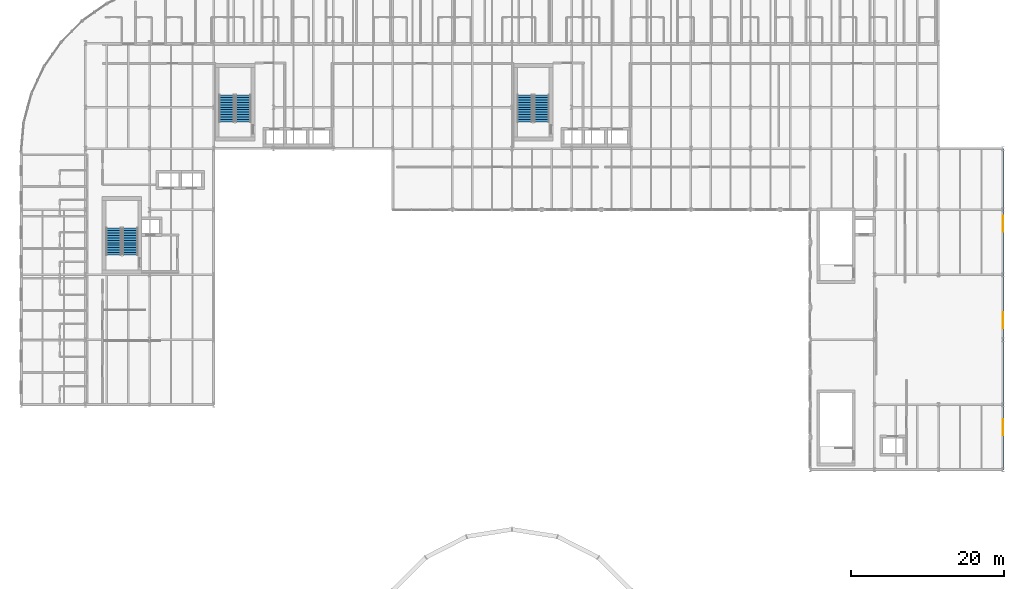
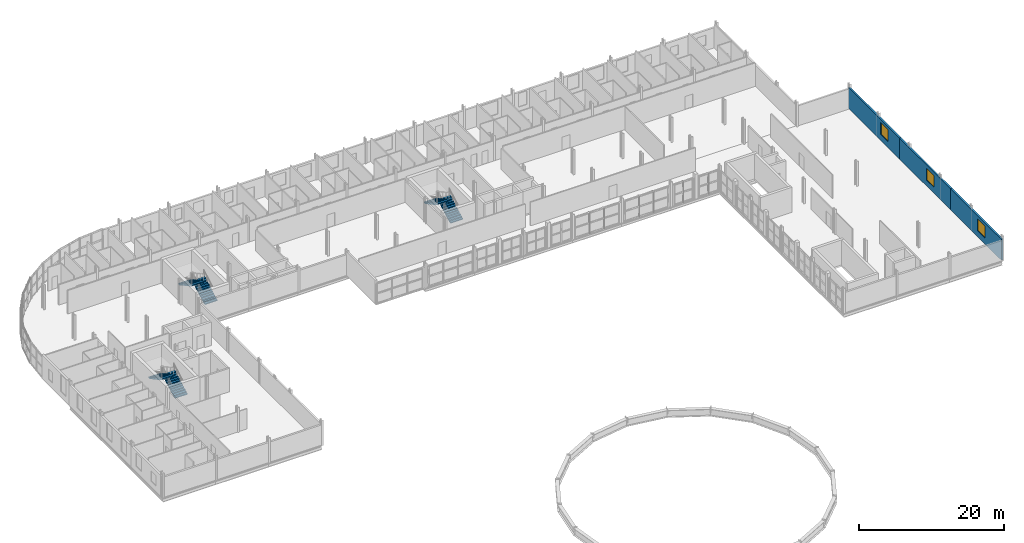
# One storey, part 40 of 45: 6 stair flights, 3 walls, 3 windows, 3 openings, 3 elements without a shape of their own.
"""IFC4 building model written with IfcOpenShell, lengths in metres."""

from ifc_helpers import new_model, si_unit, direction, frame, frame_2d, origin, place, context, subcontext, project, spatial, polyline, rectangle, outline, extrude, material, layer, layer_set, type_object, element, fill, aggregate, save


model = new_model("IFC4")

# Units and contexts
model_context = context("Model", 3, precision=1e-05, world=origin(), true_north=direction((0.0, 1.0)))
body_context = subcontext(model_context, "Body", "Model", "MODEL_VIEW")
ifc_project = project(units=[si_unit("LENGTHUNIT", "METRE"), si_unit("AREAUNIT", "SQUARE_METRE"), si_unit("VOLUMEUNIT", "CUBIC_METRE"), si_unit("PLANEANGLEUNIT", "RADIAN"), si_unit("MASSUNIT", "GRAM", prefix="KILO")], contexts=[model_context])

# Site, building, storey
site_placement = place(None, origin())
site = spatial("IfcSite", under=ifc_project, at=site_placement, CompositionType="ELEMENT")
building_placement = place(site_placement, origin())
building = spatial("IfcBuilding", under=site, at=building_placement, Name="Sefraquen Railside Congress Hotel", CompositionType="ELEMENT")
storey_placement = place(building_placement, frame((0.0, 0.0, 20.39990234375)))
storey = spatial("IfcBuildingStorey", under=building, at=storey_placement, Name="L04", CompositionType="ELEMENT", Elevation=20.39990234375)

# Wall, opening, window
ifc_material_1 = material(Name="Ochre Rabat calcarenite limestone and Concrete C40/50 backing", Category="masonry")
ifc_layer = layer(ifc_material_1, 0.280029296875)
ifc_layer_set = layer_set([ifc_layer], Name="Ochre Rabat calcarenite limestone and Concrete C40/50 backing")
wall_type = type_object("IfcWallType", Name="TW-EW-280", PredefinedType="STANDARD", material=ifc_layer_set)
wall_1_placement = place(storey_placement, frame((128.39990234375, 54.0, 0.0), z_axis=(0.0, 0.0, 1.0), x_axis=(0.0, 1.0, 0.0)))
wall_1 = element("IfcWall", 1, at=wall_1_placement, inside=storey, type_object=wall_type, Name="Meeting Wing L04 east facade wall 1", PredefinedType="STANDARD", context=body_context, shape_type="SweptSolid", body=[
    extrude(rectangle(XDim=14.0, YDim=0.280029296875, at=frame_2d((7.0, 0.0))), origin(), (0.0, 0.0, 1.0), 3.530029296875),
])
opening_1_placement = place(wall_1_placement, frame((4.5, 0.0, 1.0)))
opening_1 = element("IfcOpeningElement", 2, at=opening_1_placement, cuts=wall_1, Name="Opening WN-07", PredefinedType="OPENING", context=body_context, shape_type="SweptSolid", body=[
    extrude(rectangle(XDim=2.10009765625, YDim=2.0, at=frame_2d((1.050048828125, 1.0))), frame((0.0, 0.14990234375, 0.0), z_axis=(0.0, -1.0, 0.0), x_axis=(1.0, 0.0, 0.0)), (0.0, 0.0, 1.0), 0.300048828125),
])
ifc_material_2 = material(Name="Solar-control low-E double glazing in bronze-anodised frame", Category="glass")
window_type = type_object("IfcWindowType", Name="TWN-W-07", PartitioningType="DOUBLE_PANEL_VERTICAL", PredefinedType="WINDOW", material=ifc_material_2)
window_1_placement = place(opening_1_placement, origin())
window_1 = element("IfcWindow", 3, at=window_1_placement, inside=storey, type_object=window_type, Name="Meeting Wing L04 east window 1", OverallHeight=2.0, OverallWidth=2.10009765625, PartitioningType="DOUBLE_PANEL_VERTICAL", PredefinedType="WINDOW", context=body_context, shape_type="SweptSolid", body=[
    extrude(rectangle(XDim=2.10009765625, YDim=2.0, at=frame_2d((1.050048828125, 1.0))), frame((0.0, 0.030029296875, 0.0), z_axis=(0.0, -1.0, 0.0), x_axis=(1.0, 0.0, 0.0)), (0.0, 0.0, 1.0), 0.06005859375),
])
fill(opening_1, window_1)

wall_2_placement = place(storey_placement, frame((128.39990234375, 68.0, 0.0), z_axis=(0.0, 0.0, 1.0), x_axis=(0.0, 1.0, 0.0)))
wall_2 = element("IfcWall", 4, at=wall_2_placement, inside=storey, type_object=wall_type, Name="Meeting Wing L04 east facade wall 2", PredefinedType="STANDARD", context=body_context, shape_type="SweptSolid", body=[
    extrude(rectangle(XDim=14.0, YDim=0.280029296875, at=frame_2d((7.0, 0.0))), origin(), (0.0, 0.0, 1.0), 3.530029296875),
])
opening_2_placement = place(wall_2_placement, frame((4.5, 0.0, 1.0)))
opening_2 = element("IfcOpeningElement", 5, at=opening_2_placement, cuts=wall_2, Name="Opening WN-07", PredefinedType="OPENING", context=body_context, shape_type="SweptSolid", body=[
    extrude(rectangle(XDim=2.10009765625, YDim=2.0, at=frame_2d((1.050048828125, 1.0))), frame((0.0, 0.14990234375, 0.0), z_axis=(0.0, -1.0, 0.0), x_axis=(1.0, 0.0, 0.0)), (0.0, 0.0, 1.0), 0.300048828125),
])
window_2_placement = place(opening_2_placement, origin())
window_2 = element("IfcWindow", 6, at=window_2_placement, inside=storey, type_object=window_type, Name="Meeting Wing L04 east window 2", OverallHeight=2.0, OverallWidth=2.10009765625, PartitioningType="DOUBLE_PANEL_VERTICAL", PredefinedType="WINDOW", context=body_context, shape_type="SweptSolid", body=[
    extrude(rectangle(XDim=2.10009765625, YDim=2.0, at=frame_2d((1.050048828125, 1.0))), frame((0.0, 0.030029296875, 0.0), z_axis=(0.0, -1.0, 0.0), x_axis=(1.0, 0.0, 0.0)), (0.0, 0.0, 1.0), 0.06005859375),
])
fill(opening_2, window_2)

wall_3_placement = place(storey_placement, frame((128.39990234375, 82.0, 0.0), z_axis=(0.0, 0.0, 1.0), x_axis=(0.0, 1.0, 0.0)))
wall_3 = element("IfcWall", 7, at=wall_3_placement, inside=storey, type_object=wall_type, Name="Meeting Wing L04 east facade wall 3", PredefinedType="STANDARD", context=body_context, shape_type="SweptSolid", body=[
    extrude(rectangle(XDim=14.0, YDim=0.280029296875, at=frame_2d((7.0, 0.0))), origin(), (0.0, 0.0, 1.0), 3.530029296875),
])
opening_3_placement = place(wall_3_placement, frame((3.10009765625, 0.0, 1.0)))
opening_3 = element("IfcOpeningElement", 8, at=opening_3_placement, cuts=wall_3, Name="Opening WN-07", PredefinedType="OPENING", context=body_context, shape_type="SweptSolid", body=[
    extrude(rectangle(XDim=2.10009765625, YDim=2.0, at=frame_2d((1.050048828125, 1.0))), frame((0.0, 0.14990234375, 0.0), z_axis=(0.0, -1.0, 0.0), x_axis=(1.0, 0.0, 0.0)), (0.0, 0.0, 1.0), 0.300048828125),
])
window_3_placement = place(opening_3_placement, origin())
window_3 = element("IfcWindow", 9, at=window_3_placement, inside=storey, type_object=window_type, Name="Meeting Wing L04 east window 3", OverallHeight=2.0, OverallWidth=2.10009765625, PartitioningType="DOUBLE_PANEL_VERTICAL", PredefinedType="WINDOW", context=body_context, shape_type="SweptSolid", body=[
    extrude(rectangle(XDim=2.10009765625, YDim=2.0, at=frame_2d((1.050048828125, 1.0))), frame((0.0, 0.030029296875, 0.0), z_axis=(0.0, -1.0, 0.0), x_axis=(1.0, 0.0, 0.0)), (0.0, 0.0, 1.0), 0.06005859375),
])
fill(opening_3, window_3)

# Stair, stair flights
ifc_material_3 = material(Name="Concrete C40/50", Category="concrete")
stair_type_1 = type_object("IfcStairType", Name="TST-DOG-198-360", PredefinedType="HALF_TURN_STAIR", material=ifc_material_3)
stair_1_placement = place(storey_placement, origin())
stair_1 = element("IfcStair", 10, at=stair_1_placement, inside=storey, type_object=stair_type_1, Name="L04 Pressurized escape stair ST-H01", PredefinedType="HALF_TURN_STAIR")
stair_flight_type_1 = type_object("IfcStairFlightType", Name="TSF-FLT-198-360", PredefinedType="STRAIGHT", material=ifc_material_3)
stair_flight_1_placement = place(storey_placement, frame((14.27001953125, 82.080078125, 0.0), z_axis=(0.0, 0.0, 1.0), x_axis=(0.0, 1.0, 0.0)))
stair_flight_1 = element("IfcStairFlight", 11, at=stair_flight_1_placement, type_object=stair_flight_type_1, Name="ST-H01 flight 1", NumberOfRisers=12, NumberOfTreads=11, PredefinedType="STRAIGHT", RiserHeight=0.175, TreadLength=0.322, context=body_context, shape_type="SweptSolid", body=[
    extrude(outline(polyline([(0.0, 0.0), (0.0, 0.175048828125), (0.322021484375, 0.175048828125), (0.322021484375, 0.35009765625), (0.64404296875, 0.35009765625), (0.64404296875, 0.52490234375), (0.966064453125, 0.52490234375), (0.966064453125, 0.699951171875), (1.2880859375, 0.699951171875), (1.2880859375, 0.875), (1.610107421875, 0.875), (1.610107421875, 1.050048828125), (1.931884765625, 1.050048828125), (1.931884765625, 1.22509765625), (2.25390625, 1.22509765625), (2.25390625, 1.39990234375), (2.575927734375, 1.39990234375), (2.575927734375, 1.574951171875), (2.89794921875, 1.574951171875), (2.89794921875, 1.75), (3.219970703125, 1.75), (3.219970703125, 1.925048828125), (3.5419921875, 1.925048828125), (3.5419921875, 2.10009765625), (3.5419921875, 1.75439453125), (0.31396484375, 0.0), (0.0, 0.0)])), frame((0.0, 0.989990234375, 0.0), z_axis=(0.0, -1.0, 0.0), x_axis=(1.0, 0.0, 0.0)), (0.0, 0.0, 1.0), 1.97998046875),
])
stair_flight_2_placement = place(storey_placement, frame((12.090087890625, 85.6220703125, 2.10009765625), z_axis=(0.0, 0.0, 1.0), x_axis=(0.0, -1.0, 0.0)))
stair_flight_2 = element("IfcStairFlight", 12, at=stair_flight_2_placement, type_object=stair_flight_type_1, Name="ST-H01 flight 2", NumberOfRisers=12, NumberOfTreads=11, PredefinedType="STRAIGHT", RiserHeight=0.175, TreadLength=0.322, context=body_context, shape_type="SweptSolid", body=[
    extrude(outline(polyline([(0.0, 0.0), (0.0, 0.175048828125), (0.322021484375, 0.175048828125), (0.322021484375, 0.35009765625), (0.64404296875, 0.35009765625), (0.64404296875, 0.52490234375), (0.966064453125, 0.52490234375), (0.966064453125, 0.699951171875), (1.2880859375, 0.699951171875), (1.2880859375, 0.875), (1.610107421875, 0.875), (1.610107421875, 1.050048828125), (1.931884765625, 1.050048828125), (1.931884765625, 1.22509765625), (2.25390625, 1.22509765625), (2.25390625, 1.39990234375), (2.575927734375, 1.39990234375), (2.575927734375, 1.574951171875), (2.89794921875, 1.574951171875), (2.89794921875, 1.75), (3.219970703125, 1.75), (3.219970703125, 1.925048828125), (3.5419921875, 1.925048828125), (3.5419921875, 2.10009765625), (3.5419921875, 1.75439453125), (0.31396484375, 0.0), (0.0, 0.0)])), frame((0.0, 0.989990234375, 0.0), z_axis=(0.0, -1.0, 0.0), x_axis=(1.0, 0.0, 0.0)), (0.0, 0.0, 1.0), 1.97998046875),
])
aggregate(stair_1, [stair_flight_1, stair_flight_2])

stair_type_2 = type_object("IfcStairType", Name="TST-DOG-198-420", PredefinedType="HALF_TURN_STAIR", material=ifc_material_3)
stair_2_placement = place(storey_placement, origin())
stair_2 = element("IfcStair", 13, at=stair_2_placement, inside=storey, type_object=stair_type_2, Name="L04 Pressurized escape stair ST-H02", PredefinedType="HALF_TURN_STAIR")
stair_flight_type_2 = type_object("IfcStairFlightType", Name="TSF-FLT-198-420", PredefinedType="STRAIGHT", material=ifc_material_3)
stair_flight_3_placement = place(storey_placement, frame((29.070068359375, 99.47998046875, 0.0), z_axis=(0.0, 0.0, 1.0), x_axis=(0.0, 1.0, 0.0)))
stair_flight_3 = element("IfcStairFlight", 14, at=stair_flight_3_placement, type_object=stair_flight_type_2, Name="ST-H02 flight 1", NumberOfRisers=12, NumberOfTreads=11, PredefinedType="STRAIGHT", RiserHeight=0.175, TreadLength=0.322, context=body_context, shape_type="SweptSolid", body=[
    extrude(outline(polyline([(0.0, 0.0), (0.0, 0.175048828125), (0.322021484375, 0.175048828125), (0.322021484375, 0.35009765625), (0.64404296875, 0.35009765625), (0.64404296875, 0.52490234375), (0.966064453125, 0.52490234375), (0.966064453125, 0.699951171875), (1.2880859375, 0.699951171875), (1.2880859375, 0.875), (1.610107421875, 0.875), (1.610107421875, 1.050048828125), (1.931884765625, 1.050048828125), (1.931884765625, 1.22509765625), (2.25390625, 1.22509765625), (2.25390625, 1.39990234375), (2.575927734375, 1.39990234375), (2.575927734375, 1.574951171875), (2.89794921875, 1.574951171875), (2.89794921875, 1.75), (3.219970703125, 1.75), (3.219970703125, 1.925048828125), (3.5419921875, 1.925048828125), (3.5419921875, 2.10009765625), (3.5419921875, 1.75439453125), (0.31396484375, 0.0), (0.0, 0.0)])), frame((0.0, 0.989990234375, 0.0), z_axis=(0.0, -1.0, 0.0), x_axis=(1.0, 0.0, 0.0)), (0.0, 0.0, 1.0), 1.97998046875),
])
stair_flight_4_placement = place(storey_placement, frame((26.889892578125, 103.02197265625, 2.10009765625), z_axis=(0.0, 0.0, 1.0), x_axis=(0.0, -1.0, 0.0)))
stair_flight_4 = element("IfcStairFlight", 15, at=stair_flight_4_placement, type_object=stair_flight_type_2, Name="ST-H02 flight 2", NumberOfRisers=12, NumberOfTreads=11, PredefinedType="STRAIGHT", RiserHeight=0.175, TreadLength=0.322, context=body_context, shape_type="SweptSolid", body=[
    extrude(outline(polyline([(0.0, 0.0), (0.0, 0.175048828125), (0.322021484375, 0.175048828125), (0.322021484375, 0.35009765625), (0.64404296875, 0.35009765625), (0.64404296875, 0.52490234375), (0.966064453125, 0.52490234375), (0.966064453125, 0.699951171875), (1.2880859375, 0.699951171875), (1.2880859375, 0.875), (1.610107421875, 0.875), (1.610107421875, 1.050048828125), (1.931884765625, 1.050048828125), (1.931884765625, 1.22509765625), (2.25390625, 1.22509765625), (2.25390625, 1.39990234375), (2.575927734375, 1.39990234375), (2.575927734375, 1.574951171875), (2.89794921875, 1.574951171875), (2.89794921875, 1.75), (3.219970703125, 1.75), (3.219970703125, 1.925048828125), (3.5419921875, 1.925048828125), (3.5419921875, 2.10009765625), (3.5419921875, 1.75439453125), (0.31396484375, 0.0), (0.0, 0.0)])), frame((0.0, 0.989990234375, 0.0), z_axis=(0.0, -1.0, 0.0), x_axis=(1.0, 0.0, 0.0)), (0.0, 0.0, 1.0), 1.97998046875),
])
aggregate(stair_2, [stair_flight_3, stair_flight_4])

stair_type_3 = type_object("IfcStairType", Name="TST-DOG-198-450", PredefinedType="HALF_TURN_STAIR", material=ifc_material_3)
stair_3_placement = place(storey_placement, origin())
stair_3 = element("IfcStair", 16, at=stair_3_placement, inside=storey, type_object=stair_type_3, Name="L04 Pressurized escape stair ST-H03", PredefinedType="HALF_TURN_STAIR")
stair_flight_type_3 = type_object("IfcStairFlightType", Name="TSF-FLT-198-450", PredefinedType="STRAIGHT", material=ifc_material_3)
stair_flight_5_placement = place(storey_placement, frame((68.070068359375, 99.47998046875, 0.0), z_axis=(0.0, 0.0, 1.0), x_axis=(0.0, 1.0, 0.0)))
stair_flight_5 = element("IfcStairFlight", 17, at=stair_flight_5_placement, type_object=stair_flight_type_3, Name="ST-H03 flight 1", NumberOfRisers=12, NumberOfTreads=11, PredefinedType="STRAIGHT", RiserHeight=0.175, TreadLength=0.322, context=body_context, shape_type="SweptSolid", body=[
    extrude(outline(polyline([(0.0, 0.0), (0.0, 0.175048828125), (0.322021484375, 0.175048828125), (0.322021484375, 0.35009765625), (0.64404296875, 0.35009765625), (0.64404296875, 0.52490234375), (0.966064453125, 0.52490234375), (0.966064453125, 0.699951171875), (1.2880859375, 0.699951171875), (1.2880859375, 0.875), (1.610107421875, 0.875), (1.610107421875, 1.050048828125), (1.931884765625, 1.050048828125), (1.931884765625, 1.22509765625), (2.25390625, 1.22509765625), (2.25390625, 1.39990234375), (2.575927734375, 1.39990234375), (2.575927734375, 1.574951171875), (2.89794921875, 1.574951171875), (2.89794921875, 1.75), (3.219970703125, 1.75), (3.219970703125, 1.925048828125), (3.5419921875, 1.925048828125), (3.5419921875, 2.10009765625), (3.5419921875, 1.75439453125), (0.31396484375, 0.0), (0.0, 0.0)])), frame((0.0, 0.989990234375, 0.0), z_axis=(0.0, -1.0, 0.0), x_axis=(1.0, 0.0, 0.0)), (0.0, 0.0, 1.0), 1.97998046875),
])
stair_flight_6_placement = place(storey_placement, frame((65.889892578125, 103.02197265625, 2.10009765625), z_axis=(0.0, 0.0, 1.0), x_axis=(0.0, -1.0, 0.0)))
stair_flight_6 = element("IfcStairFlight", 18, at=stair_flight_6_placement, type_object=stair_flight_type_3, Name="ST-H03 flight 2", NumberOfRisers=12, NumberOfTreads=11, PredefinedType="STRAIGHT", RiserHeight=0.175, TreadLength=0.322, context=body_context, shape_type="SweptSolid", body=[
    extrude(outline(polyline([(0.0, 0.0), (0.0, 0.175048828125), (0.322021484375, 0.175048828125), (0.322021484375, 0.35009765625), (0.64404296875, 0.35009765625), (0.64404296875, 0.52490234375), (0.966064453125, 0.52490234375), (0.966064453125, 0.699951171875), (1.2880859375, 0.699951171875), (1.2880859375, 0.875), (1.610107421875, 0.875), (1.610107421875, 1.050048828125), (1.931884765625, 1.050048828125), (1.931884765625, 1.22509765625), (2.25390625, 1.22509765625), (2.25390625, 1.39990234375), (2.575927734375, 1.39990234375), (2.575927734375, 1.574951171875), (2.89794921875, 1.574951171875), (2.89794921875, 1.75), (3.219970703125, 1.75), (3.219970703125, 1.925048828125), (3.5419921875, 1.925048828125), (3.5419921875, 2.10009765625), (3.5419921875, 1.75439453125), (0.31396484375, 0.0), (0.0, 0.0)])), frame((0.0, 0.989990234375, 0.0), z_axis=(0.0, -1.0, 0.0), x_axis=(1.0, 0.0, 0.0)), (0.0, 0.0, 1.0), 1.97998046875),
])
aggregate(stair_3, [stair_flight_5, stair_flight_6])

save(model, "model.ifc")
